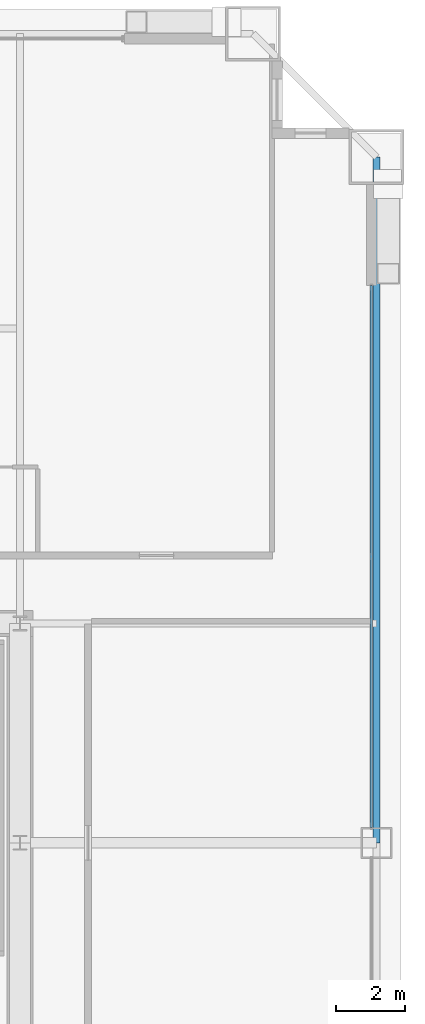
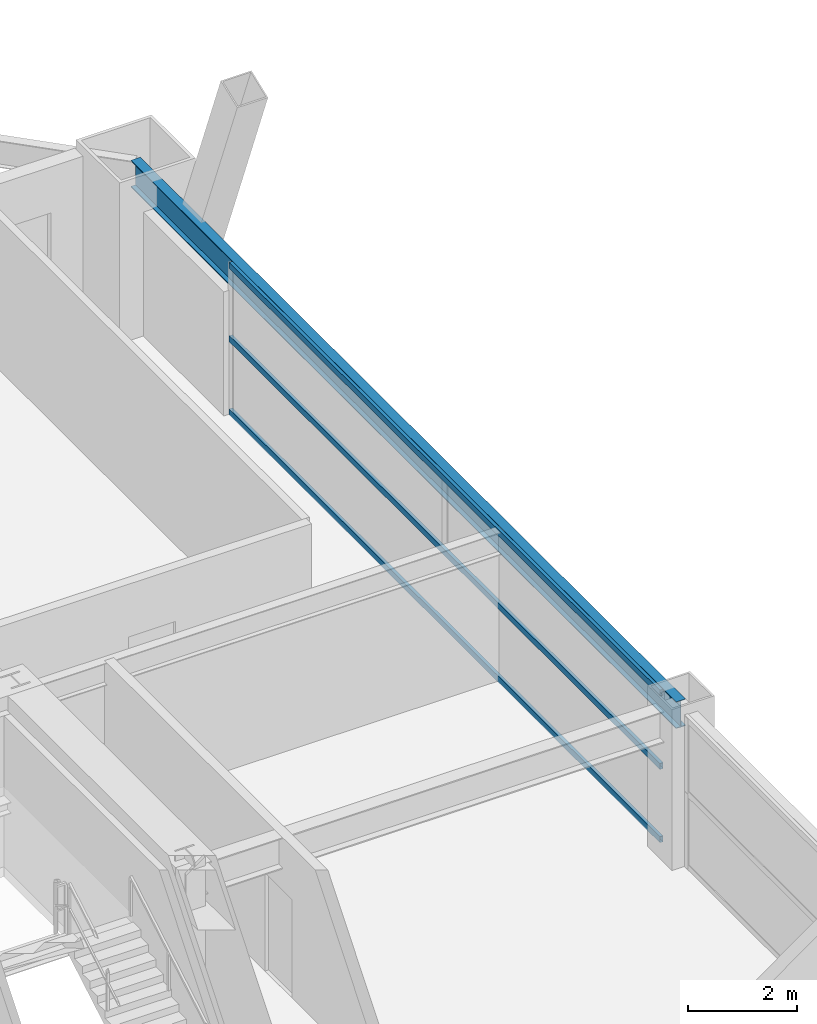
# One storey, part 33 of 43: 3 members, 1 beam, 1 element without a shape of its own.
"""IFC4 building model written with IfcOpenShell, lengths in metres."""

from ifc_helpers import new_model, si_unit, direction, frame, origin, origin_2d, place, context, subcontext, project, spatial, hollow_rectangle, i_section, extrude, source, transform, mapped, material, layer, layer_set, material_profile, profile_set, type_object, element, aggregate, save


model = new_model("IFC4")

# Units and contexts
model_context = context("Model", 3, precision=1e-05, world=origin(), true_north=direction((0.0, 1.0)))
body_context = subcontext(model_context, "Body", "Model", "MODEL_VIEW")
ifc_project = project(units=[si_unit("LENGTHUNIT", "METRE"), si_unit("AREAUNIT", "SQUARE_METRE"), si_unit("VOLUMEUNIT", "CUBIC_METRE"), si_unit("PLANEANGLEUNIT", "RADIAN"), si_unit("MASSUNIT", "GRAM", prefix="KILO"), si_unit("THERMODYNAMICTEMPERATUREUNIT", "KELVIN"), si_unit("POWERUNIT", "WATT")], contexts=[model_context])

# Site, building, storey
site_placement = place(None, origin())
site = spatial("IfcSite", under=ifc_project, at=site_placement, CompositionType="ELEMENT")
building_placement = place(site_placement, origin())
building = spatial("IfcBuilding", under=site, at=building_placement, Name="Yuzanri Waterfront Tower", CompositionType="ELEMENT")
storey_placement = place(building_placement, frame((0.0, 0.0, 108.199951171875)))
storey = spatial("IfcBuildingStorey", under=building, at=storey_placement, Name="L28", CompositionType="ELEMENT", Elevation=108.199951171875)

# Beam
ifc_material_1 = material(Name="Steel Q355B", Category="steel")
ifc_material_profile_1 = material_profile(ifc_material_1, i_section(OverallWidth=0.199951171875, OverallDepth=0.60009765625, WebThickness=0.010986328125, FlangeThickness=0.01708984375, at=origin_2d()), Name="HN 600x200x11x17")
ifc_profile_set_1 = profile_set([ifc_material_profile_1], Name="Steel Q355B")
beam_type = type_object("IfcBeamType", Name="Perimeter Spandrel Q355B HN 600x200", PredefinedType="SPANDREL", material=ifc_profile_set_1)
shared_shape_1 = source(origin(), body_context, "Body", "SweptSolid", [
    extrude(i_section(OverallWidth=0.199951171875, OverallDepth=0.60009765625, WebThickness=0.010986328125, FlangeThickness=0.01708984375, at=origin_2d()), origin(), (0.0, 0.0, 1.0), 20.0),
])
beam_placement = place(storey_placement, frame((60.60009765625, 25.800048828125, 3.080078125), z_axis=(0.0, 1.0, 0.0), x_axis=(-1.0, 0.0, 0.0)))
element("IfcBeam", 1, at=beam_placement, inside=storey, type_object=beam_type, Name="L28 Perimeter Spandrel E2-E3", PredefinedType="SPANDREL", context=body_context, shape_type="MappedRepresentation", body=[
    mapped(shared_shape_1, transform((0.0, 0.0, 0.0), scale=1.0)),
])

# Curtain wall, members
ifc_material_2 = material(Name="Anodized Architectural Bronze", Category="metal")
ifc_layer = layer(ifc_material_2, 0.159912109375)
ifc_layer_set = layer_set([ifc_layer], Name="Anodized Architectural Bronze")
curtain_wall_type = type_object("IfcCurtainWallType", Name="Anodized Bronze Hotel Upper-Tier Solar-Control Unitized Curtain Wall 7800", PredefinedType="NOTDEFINED", material=ifc_layer_set)
curtain_wall_placement = place(storey_placement, origin())
curtain_wall = element("IfcCurtainWall", 2, at=curtain_wall_placement, inside=storey, type_object=curtain_wall_type, Name="L28 Curtain Wall CW-L28-ER", PredefinedType="NOTDEFINED")
ifc_material_3 = material(Name="Anodized Architectural Bronze", Category="metal")
ifc_material_profile_2 = material_profile(ifc_material_3, hollow_rectangle(XDim=0.070068359375, YDim=0.135009765625, WallThickness=0.00341796875, at=origin_2d()), Name="CWT 70x135")
ifc_profile_set_2 = profile_set([ifc_material_profile_2], Name="Anodized Architectural Bronze")
member_type = type_object("IfcMemberType", Name="Anodized Bronze Standard Curtain-Wall Transom 70x135", PredefinedType="USERDEFINED", material=ifc_profile_set_2)
shared_shape_2 = source(origin(), body_context, "Body", "SweptSolid", [
    extrude(hollow_rectangle(XDim=0.070068359375, YDim=0.135009765625, WallThickness=0.00341796875, at=origin_2d()), origin(), (0.0, 0.0, 1.0), 15.800048828125),
])
member_1_placement = place(storey_placement, frame((60.449951171875, 26.25, 0.050048828125), z_axis=(0.0, 1.0, 0.0), x_axis=(-1.0, 0.0, 0.0)))
member_1 = element("IfcMember", 3, at=member_1_placement, type_object=member_type, Name="CW-L28-ER Transom 1", ObjectType="TRANSOM", PredefinedType="USERDEFINED", context=body_context, shape_type="MappedRepresentation", body=[
    mapped(shared_shape_2, transform((0.0, 0.0, 0.0), scale=1.0)),
])
member_2_placement = place(storey_placement, frame((60.449951171875, 26.25, 1.68994140625), z_axis=(0.0, 1.0, 0.0), x_axis=(-1.0, 0.0, 0.0)))
member_2 = element("IfcMember", 4, at=member_2_placement, type_object=member_type, Name="CW-L28-ER Transom 2", ObjectType="TRANSOM", PredefinedType="USERDEFINED", context=body_context, shape_type="MappedRepresentation", body=[
    mapped(shared_shape_2, transform((0.0, 0.0, 0.0), scale=1.0)),
])
member_3_placement = place(storey_placement, frame((60.449951171875, 26.25, 3.330078125), z_axis=(0.0, 1.0, 0.0), x_axis=(-1.0, 0.0, 0.0)))
member_3 = element("IfcMember", 5, at=member_3_placement, type_object=member_type, Name="CW-L28-ER Transom 3", ObjectType="TRANSOM", PredefinedType="USERDEFINED", context=body_context, shape_type="MappedRepresentation", body=[
    mapped(shared_shape_2, transform((0.0, 0.0, 0.0), scale=1.0)),
])
aggregate(curtain_wall, [member_1, member_2, member_3])

save(model, "model.ifc")
